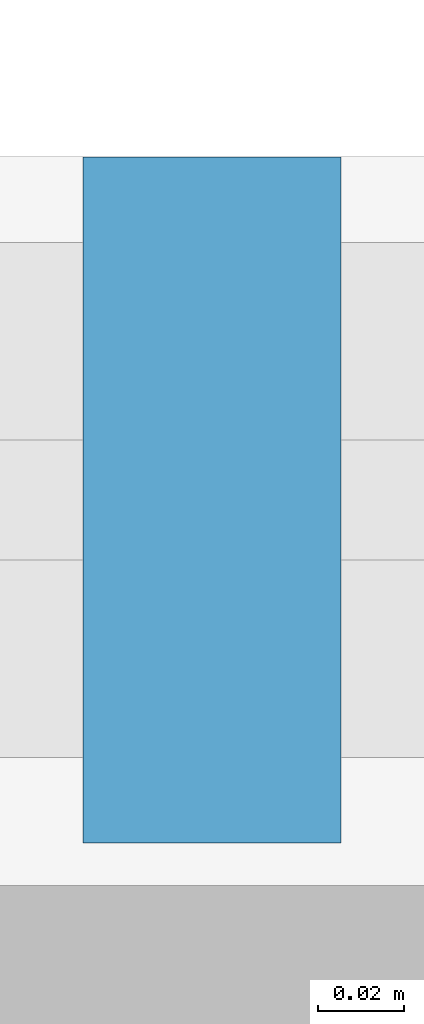
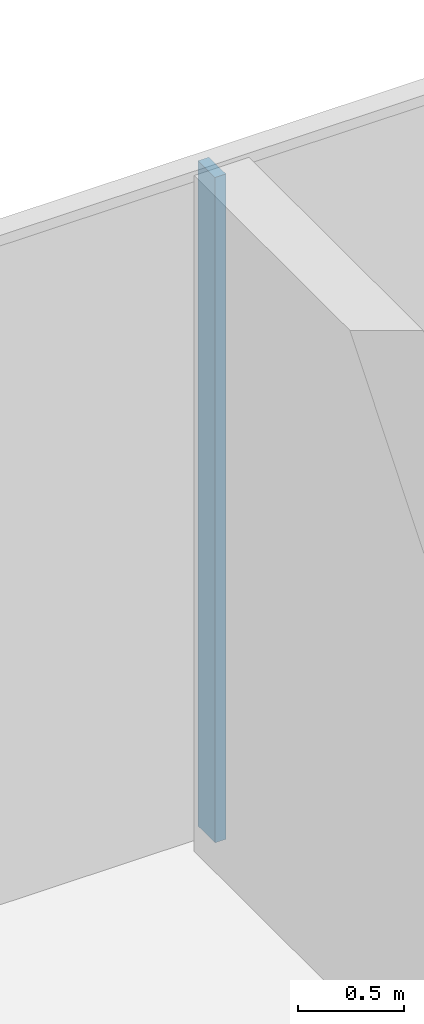
# One storey, part 14 of 25: 1 member, 1 element without a shape of its own.
"""IFC4 building model written with IfcOpenShell, lengths in metres."""

from ifc_helpers import new_model, si_unit, direction, frame, origin, origin_2d, place, context, subcontext, project, spatial, rectangle, extrude, material, material_profile, profile_set, type_object, element, aggregate, save


model = new_model("IFC4")

# Units and contexts
model_context = context("Model", 3, precision=1e-05, world=origin(), true_north=direction((0.0, 1.0)))
body_context = subcontext(model_context, "Body", "Model", "MODEL_VIEW")
ifc_project = project(units=[si_unit("LENGTHUNIT", "METRE"), si_unit("AREAUNIT", "SQUARE_METRE"), si_unit("VOLUMEUNIT", "CUBIC_METRE"), si_unit("PLANEANGLEUNIT", "RADIAN"), si_unit("MASSUNIT", "GRAM", prefix="KILO")], contexts=[model_context])

# Site, building, storey
site_placement = place(None, origin())
site = spatial("IfcSite", under=ifc_project, at=site_placement, CompositionType="ELEMENT")
building_placement = place(site_placement, origin())
building = spatial("IfcBuilding", under=site, at=building_placement, Name="Ogive Portal Towers", CompositionType="ELEMENT")
storey_placement = place(building_placement, frame((0.0, 0.0, 272.89990234375)))
storey = spatial("IfcBuildingStorey", under=building, at=storey_placement, Name="L66", CompositionType="ELEMENT", Elevation=272.89990234375)

# Curtain wall, member
ifc_material_1 = material(Name="Glass, clear low-iron insulated glazing", Category="glass")
curtain_wall_type = type_object("IfcCurtainWallType", Name="CW CROWN GLAZING", PredefinedType="NOTDEFINED", material=ifc_material_1)
curtain_wall_placement = place(storey_placement, origin())
curtain_wall = element("IfcCurtainWall", 1, at=curtain_wall_placement, inside=storey, type_object=curtain_wall_type, Name="A:L66:c12:cw", PredefinedType="NOTDEFINED")
ifc_material_2 = material(Name="Aluminium 6063 anodised", Category="aluminium")
ifc_material_profile = material_profile(ifc_material_2, rectangle(XDim=0.159912109375, YDim=0.06005859375, at=origin_2d()), Name="AL 60x160")
ifc_profile_set = profile_set([ifc_material_profile], Name="Aluminium 6063 anodised")
member_type = type_object("IfcMemberType", Name="CW MULLION 60x160", PredefinedType="MULLION", material=ifc_profile_set)
member_placement = place(storey_placement, frame((63.0, 40.919921875, 0.0), z_axis=(0.0, 0.0, 1.0), x_axis=(0.0, -1.0, 0.0)))
member = element("IfcMember", 2, at=member_placement, type_object=member_type, Name="mullion", PredefinedType="MULLION", context=body_context, shape_type="SweptSolid", body=[
    extrude(rectangle(XDim=0.159912109375, YDim=0.06005859375, at=origin_2d()), origin(), (0.0, 0.0, 1.0), 3.840087890625),
])
aggregate(curtain_wall, [member])

save(model, "model.ifc")
